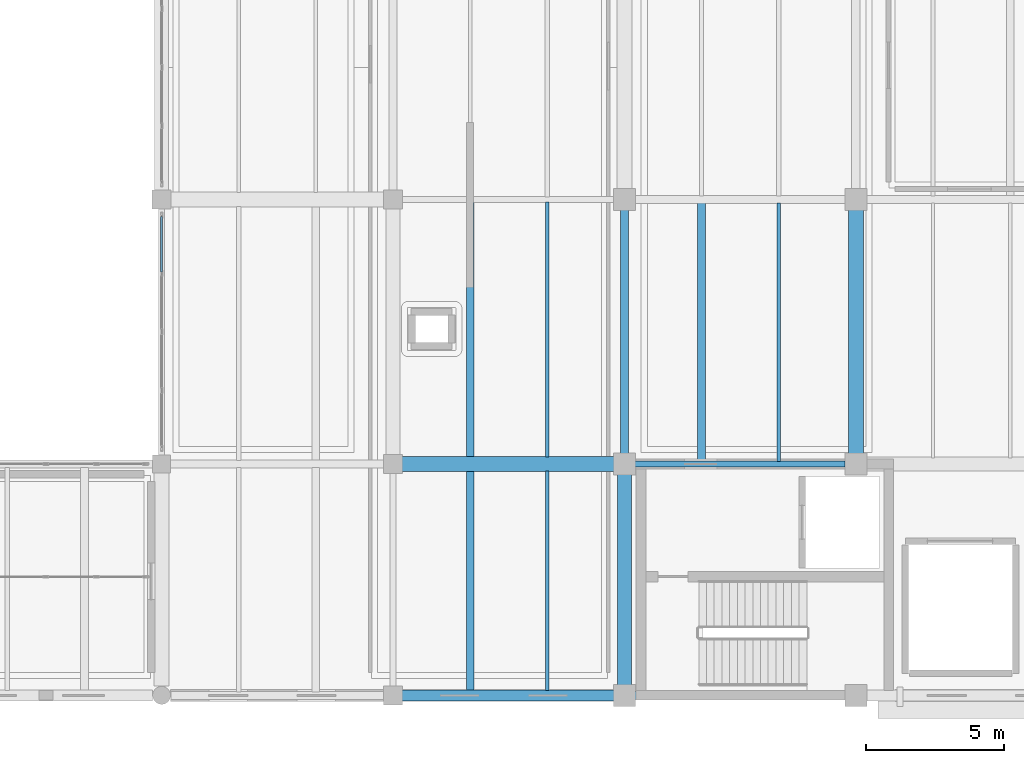
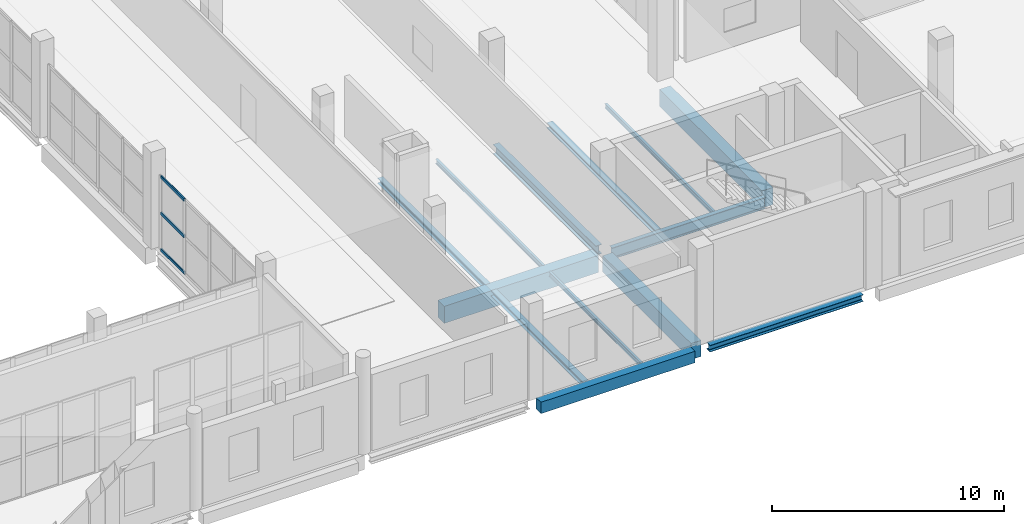
# One storey, part 24 of 73: 13 beams, 3 members, 1 element without a shape of its own.
"""IFC4 building model written with IfcOpenShell, lengths in metres."""

from ifc_helpers import new_model, si_unit, direction, frame, origin, origin_2d, place, context, subcontext, project, spatial, rectangle, hollow_rectangle, i_section, extrude, material, layer, layer_set, material_profile, profile_set, type_object, element, aggregate, save


model = new_model("IFC4")

# Units and contexts
model_context = context("Model", 3, precision=1e-05, world=origin(), true_north=direction((0.0, 1.0)))
body_context = subcontext(model_context, "Body", "Model", "MODEL_VIEW")
ifc_project = project(units=[si_unit("LENGTHUNIT", "METRE"), si_unit("AREAUNIT", "SQUARE_METRE"), si_unit("VOLUMEUNIT", "CUBIC_METRE"), si_unit("PLANEANGLEUNIT", "RADIAN"), si_unit("MASSUNIT", "GRAM", prefix="KILO")], contexts=[model_context])

# Site, building, storey
site_placement = place(None, origin())
site = spatial("IfcSite", under=ifc_project, at=site_placement, CompositionType="ELEMENT")
building_placement = place(site_placement, origin())
building = spatial("IfcBuilding", under=site, at=building_placement, Name="Zulmaris Art Gallery", CompositionType="ELEMENT")
storey_placement = place(building_placement, frame((0.0, 0.0, 10.5)))
storey = spatial("IfcBuildingStorey", under=building, at=storey_placement, Name="L02", CompositionType="ELEMENT", Elevation=10.5)

# Beams
ifc_material_1 = material(Name="Steel S355J2", Category="steel")
ifc_material_profile_1 = material_profile(ifc_material_1, i_section(OverallWidth=0.219970703125, OverallDepth=0.60009765625, WebThickness=0.011962890625, FlangeThickness=0.01904296875, FilletRadius=0.02392578125, at=origin_2d()), Name="IPE 600")
ifc_profile_set_1 = profile_set([ifc_material_profile_1], Name="Steel S355J2")
beam_type_1 = type_object("IfcBeamType", Name="BEAM-BM07", PredefinedType="BEAM", material=ifc_profile_set_1)
beam_1_placement = place(storey_placement, frame((141.985107421875, 21.60009765625, -0.695068359375), z_axis=(1.0, 0.0, 0.0), x_axis=(0.0, 1.0, 0.0)))
element("IfcBeam", 1, at=beam_1_placement, inside=storey, type_object=beam_type_1, Name="L02 X-girder (141.6..150.0, y=21.6)", PredefinedType="BEAM", context=body_context, shape_type="SweptSolid", body=[
    extrude(i_section(OverallWidth=0.219970703125, OverallDepth=0.60009765625, WebThickness=0.011962890625, FlangeThickness=0.01904296875, FilletRadius=0.02392578125, at=origin_2d()), origin(), (0.0, 0.0, 1.0), 7.6298828125),
])
ifc_material_profile_2 = material_profile(ifc_material_1, i_section(OverallWidth=0.300048828125, OverallDepth=0.5, WebThickness=0.014404296875, FlangeThickness=0.028076171875, FilletRadius=0.027099609375, at=origin_2d()), Name="HEB 500")
ifc_profile_set_2 = profile_set([ifc_material_profile_2], Name="Steel S355J2")
beam_type_2 = type_object("IfcBeamType", Name="BEAM-BM14", PredefinedType="BEAM", material=ifc_profile_set_2)
beam_2_placement = place(storey_placement, frame((141.60009765625, 21.985107421875, -0.64990234375), z_axis=(0.0, 1.0, 0.0), x_axis=(-1.0, 0.0, 0.0)))
element("IfcBeam", 2, at=beam_2_placement, inside=storey, type_object=beam_type_2, Name="L02 Y-girder (x=141.6, 21.6..31.2)", PredefinedType="BEAM", context=body_context, shape_type="SweptSolid", body=[
    extrude(i_section(OverallWidth=0.300048828125, OverallDepth=0.5, WebThickness=0.014404296875, FlangeThickness=0.028076171875, FilletRadius=0.027099609375, at=origin_2d()), origin(), (0.0, 0.0, 1.0), 8.829833984375),
])
ifc_material_2 = material(Name="Concrete C40/50", Category="concrete")
ifc_material_profile_3 = material_profile(ifc_material_2, rectangle(XDim=0.550048828125, YDim=0.89990234375, at=origin_2d()), Name="RC 550x900")
ifc_profile_set_3 = profile_set([ifc_material_profile_3], Name="Concrete C40/50")
beam_type_3 = type_object("IfcBeamType", Name="BEAM-BM21", PredefinedType="BEAM", material=ifc_profile_set_3)
beam_3_placement = place(storey_placement, frame((133.534912109375, 21.60009765625, -0.85009765625), z_axis=(1.0, 0.0, 0.0), x_axis=(0.0, 1.0, 0.0)))
element("IfcBeam", 3, at=beam_3_placement, inside=storey, type_object=beam_type_3, Name="L02 X-girder (133.2..141.6, y=21.6)", PredefinedType="BEAM", context=body_context, shape_type="SweptSolid", body=[
    extrude(rectangle(XDim=0.550048828125, YDim=0.89990234375, at=origin_2d()), origin(), (0.0, 0.0, 1.0), 7.68017578125),
])
beam_4_placement = place(storey_placement, frame((150.0, 21.985107421875, -0.85009765625), z_axis=(0.0, 1.0, 0.0), x_axis=(-1.0, 0.0, 0.0)))
element("IfcBeam", 4, at=beam_4_placement, inside=storey, type_object=beam_type_3, Name="L02 Y-girder (x=150.0, 21.6..31.2)", PredefinedType="BEAM", context=body_context, shape_type="SweptSolid", body=[
    extrude(rectangle(XDim=0.550048828125, YDim=0.89990234375, at=origin_2d()), origin(), (0.0, 0.0, 1.0), 8.829833984375),
])
ifc_material_profile_4 = material_profile(ifc_material_2, rectangle(XDim=0.5, YDim=0.85009765625, at=origin_2d()), Name="RC 500x850")
ifc_profile_set_4 = profile_set([ifc_material_profile_4], Name="Concrete C40/50")
beam_type_4 = type_object("IfcBeamType", Name="BEAM-BM26", PredefinedType="BEAM", material=ifc_profile_set_4)
beam_5_placement = place(storey_placement, frame((141.60009765625, 13.5849609375, -0.824951171875), z_axis=(0.0, 1.0, 0.0), x_axis=(-1.0, 0.0, 0.0)))
element("IfcBeam", 5, at=beam_5_placement, inside=storey, type_object=beam_type_4, Name="L02 Y-girder (x=141.6, 13.2..21.6)", PredefinedType="BEAM", context=body_context, shape_type="SweptSolid", body=[
    extrude(rectangle(XDim=0.5, YDim=0.85009765625, at=origin_2d()), origin(), (0.0, 0.0, 1.0), 7.630126953125),
])
ifc_material_profile_5 = material_profile(ifc_material_1, i_section(OverallWidth=0.1201171875, OverallDepth=0.239990234375, WebThickness=0.006103515625, FlangeThickness=0.009765625, FilletRadius=0.014892578125, at=origin_2d()), Name="IPE 240")
ifc_profile_set_5 = profile_set([ifc_material_profile_5], Name="Steel S355J2")
beam_type_5 = type_object("IfcBeamType", Name="BEAM-JS01", PredefinedType="JOIST", material=ifc_profile_set_5)
beam_6_placement = place(storey_placement, frame((138.800048828125, 13.375, -0.52001953125), z_axis=(0.0, 1.0, 0.0), x_axis=(-1.0, 0.0, 0.0)))
element("IfcBeam", 6, at=beam_6_placement, inside=storey, type_object=beam_type_5, Name="L02 secondary joist at x=138.8", PredefinedType="JOIST", context=body_context, shape_type="SweptSolid", body=[
    extrude(i_section(OverallWidth=0.1201171875, OverallDepth=0.239990234375, WebThickness=0.006103515625, FlangeThickness=0.009765625, FilletRadius=0.014892578125, at=origin_2d()), origin(), (0.0, 0.0, 1.0), 7.97509765625),
])
beam_7_placement = place(storey_placement, frame((138.800048828125, 21.85009765625, -0.52001953125), z_axis=(0.0, 1.0, 0.0), x_axis=(-1.0, 0.0, 0.0)))
element("IfcBeam", 7, at=beam_7_placement, inside=storey, type_object=beam_type_5, Name="L02 secondary joist at x=138.8", PredefinedType="JOIST", context=body_context, shape_type="SweptSolid", body=[
    extrude(i_section(OverallWidth=0.1201171875, OverallDepth=0.239990234375, WebThickness=0.006103515625, FlangeThickness=0.009765625, FilletRadius=0.014892578125, at=origin_2d()), origin(), (0.0, 0.0, 1.0), 9.264892578125),
])
beam_8_placement = place(storey_placement, frame((147.199951171875, 21.68505859375, -0.52001953125), z_axis=(0.0, 1.0, 0.0), x_axis=(-1.0, 0.0, 0.0)))
element("IfcBeam", 8, at=beam_8_placement, inside=storey, type_object=beam_type_5, Name="L02 secondary joist at x=147.2", PredefinedType="JOIST", context=body_context, shape_type="SweptSolid", body=[
    extrude(i_section(OverallWidth=0.1201171875, OverallDepth=0.239990234375, WebThickness=0.006103515625, FlangeThickness=0.009765625, FilletRadius=0.014892578125, at=origin_2d()), origin(), (0.0, 0.0, 1.0), 9.389892578125),
])
ifc_material_profile_6 = material_profile(ifc_material_1, i_section(OverallWidth=0.280029296875, OverallDepth=0.27001953125, WebThickness=0.008056640625, FlangeThickness=0.012939453125, FilletRadius=0.02392578125, at=origin_2d()), Name="HEA 280")
ifc_profile_set_6 = profile_set([ifc_material_profile_6], Name="Steel S355J2")
beam_type_6 = type_object("IfcBeamType", Name="BEAM-JS04", PredefinedType="JOIST", material=ifc_profile_set_6)
beam_9_placement = place(storey_placement, frame((136.0, 13.375, -0.534912109375), z_axis=(0.0, 1.0, 0.0), x_axis=(-1.0, 0.0, 0.0)))
element("IfcBeam", 9, at=beam_9_placement, inside=storey, type_object=beam_type_6, Name="L02 secondary joist at x=136.0", PredefinedType="JOIST", context=body_context, shape_type="SweptSolid", body=[
    extrude(i_section(OverallWidth=0.280029296875, OverallDepth=0.27001953125, WebThickness=0.008056640625, FlangeThickness=0.012939453125, FilletRadius=0.02392578125, at=origin_2d()), origin(), (0.0, 0.0, 1.0), 7.97509765625),
])
beam_10_placement = place(storey_placement, frame((136.0, 21.85009765625, -0.534912109375), z_axis=(0.0, 1.0, 0.0), x_axis=(-1.0, 0.0, 0.0)))
element("IfcBeam", 10, at=beam_10_placement, inside=storey, type_object=beam_type_6, Name="L02 secondary joist at x=136.0", PredefinedType="JOIST", context=body_context, shape_type="SweptSolid", body=[
    extrude(i_section(OverallWidth=0.280029296875, OverallDepth=0.27001953125, WebThickness=0.008056640625, FlangeThickness=0.012939453125, FilletRadius=0.02392578125, at=origin_2d()), origin(), (0.0, 0.0, 1.0), 9.264892578125),
])
beam_11_placement = place(storey_placement, frame((144.39990234375, 21.68505859375, -0.534912109375), z_axis=(0.0, 1.0, 0.0), x_axis=(-1.0, 0.0, 0.0)))
element("IfcBeam", 11, at=beam_11_placement, inside=storey, type_object=beam_type_6, Name="L02 secondary joist at x=144.4", PredefinedType="JOIST", context=body_context, shape_type="SweptSolid", body=[
    extrude(i_section(OverallWidth=0.280029296875, OverallDepth=0.27001953125, WebThickness=0.008056640625, FlangeThickness=0.012939453125, FilletRadius=0.02392578125, at=origin_2d()), origin(), (0.0, 0.0, 1.0), 9.389892578125),
])
ifc_material_profile_7 = material_profile(ifc_material_1, i_section(OverallWidth=0.300048828125, OverallDepth=0.35009765625, WebThickness=0.010009765625, FlangeThickness=0.017578125, FilletRadius=0.027099609375, at=origin_2d()), Name="HEA 360")
ifc_profile_set_7 = profile_set([ifc_material_profile_7], Name="Steel S355J2")
beam_type_7 = type_object("IfcBeamType", Name="BEAM-SP01", PredefinedType="SPANDREL", material=ifc_profile_set_7)
beam_12_placement = place(storey_placement, frame((141.985107421875, 13.199951171875, -0.574951171875), z_axis=(1.0, 0.0, 0.0), x_axis=(0.0, 1.0, 0.0)))
element("IfcBeam", 12, at=beam_12_placement, inside=storey, type_object=beam_type_7, Name="L02 X-girder (141.6..150.0, y=13.2)", PredefinedType="SPANDREL", context=body_context, shape_type="SweptSolid", body=[
    extrude(i_section(OverallWidth=0.300048828125, OverallDepth=0.35009765625, WebThickness=0.010009765625, FlangeThickness=0.017578125, FilletRadius=0.027099609375, at=origin_2d()), origin(), (0.0, 0.0, 1.0), 7.6298828125),
])
ifc_material_profile_8 = material_profile(ifc_material_2, rectangle(XDim=0.39990234375, YDim=0.60009765625, at=origin_2d()), Name="RC 400x600")
ifc_profile_set_8 = profile_set([ifc_material_profile_8], Name="Concrete C40/50")
beam_type_8 = type_object("IfcBeamType", Name="BEAM-SP03", PredefinedType="SPANDREL", material=ifc_profile_set_8)
beam_13_placement = place(storey_placement, frame((133.534912109375, 13.199951171875, -0.699951171875), z_axis=(1.0, 0.0, 0.0), x_axis=(0.0, 1.0, 0.0)))
element("IfcBeam", 13, at=beam_13_placement, inside=storey, type_object=beam_type_8, Name="L02 X-girder (133.2..141.6, y=13.2)", PredefinedType="SPANDREL", context=body_context, shape_type="SweptSolid", body=[
    extrude(rectangle(XDim=0.39990234375, YDim=0.60009765625, at=origin_2d()), origin(), (0.0, 0.0, 1.0), 7.68017578125),
])

# Curtain wall, members
ifc_material_3 = material(Name="Unitised Low-E Gallery Curtain Wall", Category="aluminium")
ifc_layer = layer(ifc_material_3, 0.179931640625)
ifc_layer_set = layer_set([ifc_layer], Name="Unitised Low-E Gallery Curtain Wall")
curtain_wall_type = type_object("IfcCurtainWallType", Name="CW-CW01", PredefinedType="NOTDEFINED", material=ifc_layer_set)
curtain_wall_placement = place(storey_placement, origin())
curtain_wall = element("IfcCurtainWall", 14, at=curtain_wall_placement, inside=storey, type_object=curtain_wall_type, Name="L02 curtain wall 110", PredefinedType="NOTDEFINED")
ifc_material_4 = material(Name="Anodised Bronze Aluminium", Category="aluminium")
ifc_material_profile_9 = material_profile(ifc_material_4, hollow_rectangle(XDim=0.074951171875, YDim=0.159912109375, WallThickness=0.00390625, InnerFilletRadius=0.006103515625, OuterFilletRadius=0.010009765625, at=origin_2d()), Name="ALU 75x160x4")
ifc_profile_set_9 = profile_set([ifc_material_profile_9], Name="Anodised Bronze Aluminium")
member_type = type_object("IfcMemberType", Name="CWTRN-02", PredefinedType="USERDEFINED", material=ifc_profile_set_9)
member_1_placement = place(storey_placement, frame((124.800048828125, 28.5673828125, 0.03759765625), z_axis=(0.0, 1.0, 0.0), x_axis=(-1.0, 0.0, 0.0)))
member_1 = element("IfcMember", 15, at=member_1_placement, type_object=member_type, Name="CW01 transom 4.1", ObjectType="TRANSOM", PredefinedType="USERDEFINED", context=body_context, shape_type="SweptSolid", body=[
    extrude(hollow_rectangle(XDim=0.074951171875, YDim=0.159912109375, WallThickness=0.00390625, InnerFilletRadius=0.006103515625, OuterFilletRadius=0.010009765625, at=origin_2d()), origin(), (0.0, 0.0, 1.0), 2.017578125),
])
member_2_placement = place(storey_placement, frame((124.800048828125, 28.5673828125, 1.949951171875), z_axis=(0.0, 1.0, 0.0), x_axis=(-1.0, 0.0, 0.0)))
member_2 = element("IfcMember", 16, at=member_2_placement, type_object=member_type, Name="CW01 transom 4.2", ObjectType="TRANSOM", PredefinedType="USERDEFINED", context=body_context, shape_type="SweptSolid", body=[
    extrude(hollow_rectangle(XDim=0.074951171875, YDim=0.159912109375, WallThickness=0.00390625, InnerFilletRadius=0.006103515625, OuterFilletRadius=0.010009765625, at=origin_2d()), origin(), (0.0, 0.0, 1.0), 2.017578125),
])
member_3_placement = place(storey_placement, frame((124.800048828125, 28.5673828125, 3.862548828125), z_axis=(0.0, 1.0, 0.0), x_axis=(-1.0, 0.0, 0.0)))
member_3 = element("IfcMember", 17, at=member_3_placement, type_object=member_type, Name="CW01 transom 4.3", ObjectType="TRANSOM", PredefinedType="USERDEFINED", context=body_context, shape_type="SweptSolid", body=[
    extrude(hollow_rectangle(XDim=0.074951171875, YDim=0.159912109375, WallThickness=0.00390625, InnerFilletRadius=0.006103515625, OuterFilletRadius=0.010009765625, at=origin_2d()), origin(), (0.0, 0.0, 1.0), 2.017578125),
])
aggregate(curtain_wall, [member_1, member_2, member_3])

save(model, "model.ifc")
